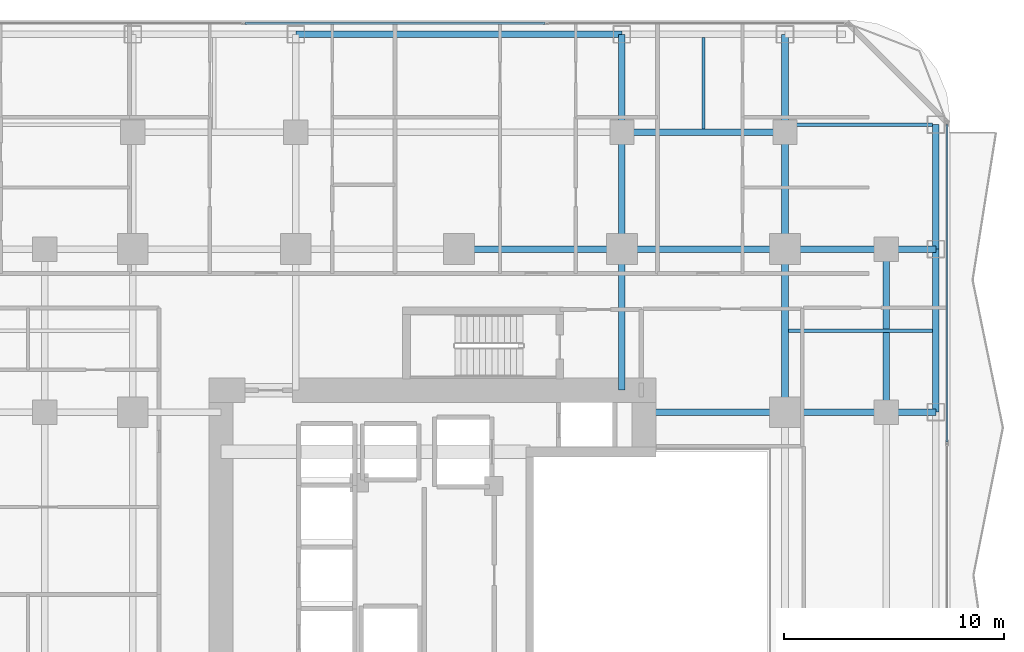
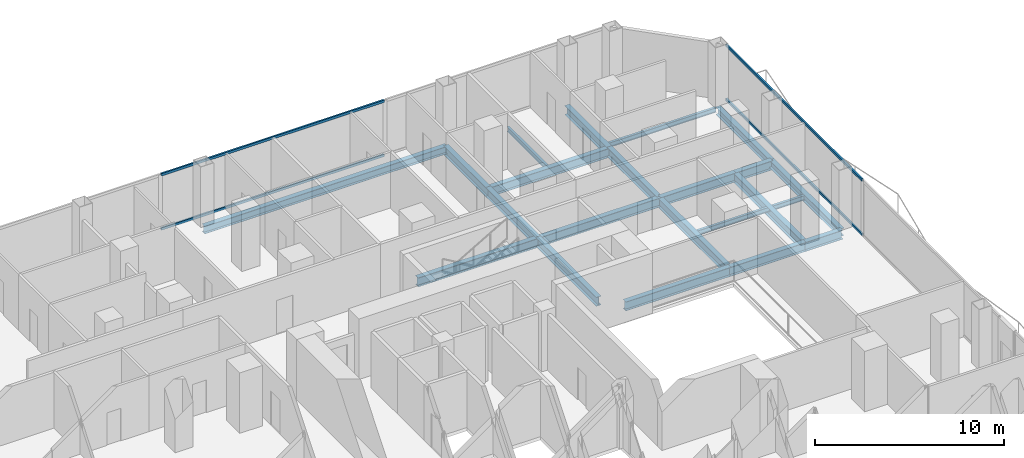
# One storey, part 16 of 29: 21 beams, 4 members, 2 elements without a shape of their own.
"""IFC4 building model written with IfcOpenShell, lengths in metres."""

import ifcopenshell
import ifcopenshell.guid

model = None  # the IFC model being written
_history = None  # IfcOwnerHistory: only IFC2X3 demands one
_inside = {}  # id of a spatial element -> (the spatial element, [elements in it])
_under = {}  # id of a project, library or spatial element -> (it, [spatial elements below it])
_declared = {}  # id of a project -> (the project, [libraries it declares])
_typed = {}  # id of a type object -> (the type object, [elements of that type])
_made_of = {}  # id of a material, layer set ... -> (it, [elements and type objects made of it])


def new_model(schema):
    """Start an empty IFC model of exactly this schema.

    Asked for "IFC4X3", IfcOpenShell would pick the latest addendum, in which some entities
    have other attributes; the version numbers below select the first issue.
    IFC2X3 requires an IfcOwnerHistory on every rooted entity: one is made here for all.
    """
    global model, _history
    if schema == "IFC4X3":
        model = ifcopenshell.file(schema_version=(4, 3, 0, 0))
    else:
        model = ifcopenshell.file(schema=schema)
    _inside.clear()
    _under.clear()
    _declared.clear()
    _typed.clear()
    _made_of.clear()
    _history = None
    if model.schema == "IFC2X3":
        org = make("IfcOrganization", Name="unknown")
        user = make(
            "IfcPersonAndOrganization",
            ThePerson=make("IfcPerson", FamilyName="unknown"),
            TheOrganization=org,
        )
        app = make(
            "IfcApplication",
            ApplicationDeveloper=org,
            Version="unknown",
            ApplicationFullName="unknown",
            ApplicationIdentifier="unknown",
        )
        _history = make(
            "IfcOwnerHistory",
            OwningUser=user,
            OwningApplication=app,
            ChangeAction="ADDED",
            CreationDate=0,
        )
    return model


def make(cls, **values):
    """One entity of the class cls with the attributes given. An attribute that is None is left unset."""
    return model.create_entity(
        cls, **{name: value for name, value in values.items() if value is not None}
    )


def rooted(cls, **values):
    """An entity with a GlobalId (a new one), such as an element, a storey or a relation."""
    return make(cls, GlobalId=ifcopenshell.guid.new(), OwnerHistory=_history, **values)


def si_unit(unit_type, name, prefix=None):
    """IfcSIUnit, for example si_unit("LENGTHUNIT", "METRE", prefix="MILLI")."""
    return make("IfcSIUnit", UnitType=unit_type, Prefix=prefix, Name=name)


def assignment(units):
    """IfcUnitAssignment: the units of a project."""
    return None if units is None else make("IfcUnitAssignment", Units=units)


def point(xyz):
    """IfcCartesianPoint."""
    return None if xyz is None else make("IfcCartesianPoint", Coordinates=xyz)


def direction(xyz):
    """IfcDirection."""
    return None if xyz is None else make("IfcDirection", DirectionRatios=xyz)


def frame(location, z_axis=None, x_axis=None):
    """IfcAxis2Placement3D, a coordinate frame: its origin and axes. An axis left out is left unset."""
    return make(
        "IfcAxis2Placement3D",
        Location=point(location),
        Axis=direction(z_axis),
        RefDirection=direction(x_axis),
    )


def frame_2d(location, x_axis=None):
    """IfcAxis2Placement2D, a coordinate frame in the plane: its origin and x axis."""
    return make(
        "IfcAxis2Placement2D", Location=point(location), RefDirection=direction(x_axis)
    )


def origin():
    """The frame at (0, 0, 0) with its axes left unset."""
    return frame((0.0, 0.0, 0.0))


def origin_2d():
    """The frame at (0, 0) in the plane with its x axis left unset."""
    return frame_2d((0.0, 0.0))


def place(relative_to, where):
    """IfcLocalPlacement: puts the frame where relative to a parent placement (None: the world)."""
    return make(
        "IfcLocalPlacement", PlacementRelTo=relative_to, RelativePlacement=where
    )


def context(
    kind, dimensions, precision=None, world=None, true_north=None, identifier=None
):
    """IfcGeometricRepresentationContext, for example the 3D "Model" context."""
    return make(
        "IfcGeometricRepresentationContext",
        ContextIdentifier=identifier,
        ContextType=kind,
        CoordinateSpaceDimension=dimensions,
        Precision=precision,
        WorldCoordinateSystem=world,
        TrueNorth=true_north,
    )


def subcontext(parent, identifier, kind, view, scale=None):
    """IfcGeometricRepresentationSubContext, for example "Body" below "Model"."""
    return make(
        "IfcGeometricRepresentationSubContext",
        ContextIdentifier=identifier,
        ContextType=kind,
        ParentContext=parent,
        TargetScale=scale,
        TargetView=view,
    )


def project(units=None, contexts=None):
    """IfcProject with its units and contexts."""
    return rooted(
        "IfcProject",
        Name="project",
        RepresentationContexts=contexts,
        UnitsInContext=assignment(units),
    )


def spatial(cls, under=None, at=None, **own):
    """A site, building, storey or space (cls), placed at a placement, below another one or the project."""
    s = rooted(cls, ObjectPlacement=at, **own)
    if under is not None:
        _under.setdefault(under.id(), (under, []))[1].append(s)
    return s


def profile(cls, at=None, kind="AREA", **sizes):
    """A parametric profile (cls). Its sizes go by their IFC names, for example OverallWidth=200.0."""
    return make(cls, ProfileType=kind, Position=at, **sizes)


def hollow_rectangle(**sizes):
    """IfcRectangleHollowProfileDef."""
    return profile("IfcRectangleHollowProfileDef", **sizes)


def i_section(**sizes):
    """IfcIShapeProfileDef."""
    return profile("IfcIShapeProfileDef", **sizes)


def extrude(swept, where, along, depth):
    """IfcExtrudedAreaSolid: the profile swept, set in the frame where, extruded along a direction by depth."""
    return make(
        "IfcExtrudedAreaSolid",
        SweptArea=swept,
        Position=where,
        ExtrudedDirection=direction(along),
        Depth=depth,
    )


def shape(context_of_items, identifier, shape_type, items):
    """IfcShapeRepresentation: the items that make up one representation, for example the "Body"."""
    return make(
        "IfcShapeRepresentation",
        ContextOfItems=context_of_items,
        RepresentationIdentifier=identifier,
        RepresentationType=shape_type,
        Items=items,
    )


def material(Name=None, Category=None):
    """IfcMaterial."""
    return make("IfcMaterial", Name=Name, Category=Category)


def layer(
    of_material, thickness, ventilated=None, Name=None, Category=None, Priority=None
):
    """IfcMaterialLayer: one layer of a wall or slab, of a material (None: an air gap)."""
    return make(
        "IfcMaterialLayer",
        Material=of_material,
        LayerThickness=thickness,
        IsVentilated=ventilated,
        Name=Name,
        Category=Category,
        Priority=Priority,
    )


def layer_set(layers, Name=None):
    """IfcMaterialLayerSet."""
    return make("IfcMaterialLayerSet", MaterialLayers=layers, LayerSetName=Name)


def material_profile(
    of_material, cross_section, Name=None, Category=None, Priority=None
):
    """IfcMaterialProfile: a cross section and its material."""
    return make(
        "IfcMaterialProfile",
        Name=Name,
        Material=of_material,
        Profile=cross_section,
        Priority=Priority,
        Category=Category,
    )


def profile_set(profiles, Name=None, composite=None):
    """IfcMaterialProfileSet."""
    return make(
        "IfcMaterialProfileSet",
        Name=Name,
        MaterialProfiles=profiles,
        CompositeProfile=composite,
    )


def made_of(thing, what):
    """Note that an element or type object is made of a material, layer set ...; save() writes the relation."""
    if what is not None:
        _made_of.setdefault(what.id(), (what, []))[1].append(thing)
    return thing


def type_object(cls, material=None, **own):
    """A type object (cls), such as IfcWallType, which elements share."""
    return made_of(rooted(cls, **own), material)


def element(
    cls,
    number,
    at=None,
    inside=None,
    cuts=None,
    type_object=None,
    material=None,
    context=None,
    identifier="Body",
    shape_type=None,
    held_by="IfcProductDefinitionShape",
    body=None,
    shapes=None,
    **own,
):
    """One element of the class cls, such as IfcWall. Its Tag is "e" and its number.

    at: its placement. inside: the storey or other place that contains it. cuts: it is an
    opening in that element (IfcRelVoidsElement). A single representation is given by context,
    identifier, shape_type and body (its items); several are given by shapes. held_by: the class
    of the entity that holds the representations. save() writes the other relations.
    """
    e = rooted(cls, Tag="e%d" % number, ObjectPlacement=at, **own)
    if body is not None:
        shapes = [shape(context, identifier, shape_type, body)]
    if shapes is not None:
        e.Representation = make(held_by, Representations=shapes)
    if inside is not None:
        _inside.setdefault(inside.id(), (inside, []))[1].append(e)
    if cuts is not None:
        rooted(
            "IfcRelVoidsElement", RelatingBuildingElement=cuts, RelatedOpeningElement=e
        )
    if type_object is not None:
        _typed.setdefault(type_object.id(), (type_object, []))[1].append(e)
    return made_of(e, material)


def aggregate(whole, parts):
    """IfcRelAggregates: a whole, such as a stair, and the parts it consists of."""
    return rooted("IfcRelAggregates", RelatingObject=whole, RelatedObjects=parts)


def save(model, path):
    """Write the relations noted so far, then the file.

    IfcRelAggregates (storeys below a building ...), IfcRelContainedInSpatialStructure (elements
    in a storey), IfcRelDefinesByType, IfcRelAssociatesMaterial and IfcRelDeclares: one each for
    every whole, place, type object, material and project.
    """
    for whole, parts in _under.values():
        aggregate(whole, parts)
    for where, things in _inside.values():
        rooted(
            "IfcRelContainedInSpatialStructure",
            RelatedElements=things,
            RelatingStructure=where,
        )
    for kind, things in _typed.values():
        rooted("IfcRelDefinesByType", RelatedObjects=things, RelatingType=kind)
    for what, things in _made_of.values():
        rooted("IfcRelAssociatesMaterial", RelatedObjects=things, RelatingMaterial=what)
    for by, libraries in _declared.values():
        rooted("IfcRelDeclares", RelatingContext=by, RelatedDefinitions=libraries)
    model.write(path)


model = new_model("IFC4")

# Units and contexts
model_context = context("Model", 3, precision=1e-05, world=origin(), true_north=direction((0.0, 1.0)))
body_context = subcontext(model_context, "Body", "Model", "MODEL_VIEW")
ifc_project = project(units=[si_unit("LENGTHUNIT", "METRE"), si_unit("AREAUNIT", "SQUARE_METRE"), si_unit("VOLUMEUNIT", "CUBIC_METRE"), si_unit("PLANEANGLEUNIT", "RADIAN"), si_unit("MASSUNIT", "GRAM", prefix="KILO")], contexts=[model_context])

# Site, building, storey
site_placement = place(None, origin())
site = spatial("IfcSite", under=ifc_project, at=site_placement, CompositionType="ELEMENT")
building_placement = place(site_placement, origin())
building = spatial("IfcBuilding", under=site, at=building_placement, Name="Khorvyn Point Tower", CompositionType="ELEMENT")
storey_placement = place(building_placement, frame((0.0, 0.0, 73.5)))
storey = spatial("IfcBuildingStorey", under=building, at=storey_placement, Name="L19", CompositionType="ELEMENT", Elevation=73.5)

# Curtain wall, members
ifc_material_1 = material(Name="Anodised aluminium 6063-T6 and laminated Low-E glass", Category="aluminium")
ifc_layer = layer(ifc_material_1, 0.18994140625)
ifc_layer_set = layer_set([ifc_layer], Name="Stick-Built Finned Residential Curtain Wall CW-SYS-02")
curtain_wall_type = type_object("IfcCurtainWallType", Name="Stick-Built Finned Residential Curtain Wall CW-SYS-02", PredefinedType="NOTDEFINED", material=ifc_layer_set)
curtain_wall_1_placement = place(storey_placement, origin())
curtain_wall_1 = element("IfcCurtainWall", 1, at=curtain_wall_1_placement, inside=storey, type_object=curtain_wall_type, Name="Curtain Wall", PredefinedType="NOTDEFINED")
ifc_material_2 = material(Name="Anodised aluminium 6063-T6", Category="aluminium")
ifc_material_profile_1 = material_profile(ifc_material_2, hollow_rectangle(XDim=0.10009765625, YDim=0.159912109375, WallThickness=0.00439453125, at=origin_2d()))
ifc_profile_set_1 = profile_set([ifc_material_profile_1], Name="Anodised aluminium 6063-T6 ALU-TRN-100x160")
member_type = type_object("IfcMemberType", Name="Anodised Aluminium 6063-T6 Transom ALU-TRN-100x160", PredefinedType="USERDEFINED", material=ifc_profile_set_1)
member_1_placement = place(storey_placement, frame((-9.699951171875, 25.050048828125, 0.050048828125), z_axis=(1.0, 0.0, 0.0), x_axis=(0.0, 1.0, 0.0)))
member_1 = element("IfcMember", 2, at=member_1_placement, type_object=member_type, Name="Transom", ObjectType="TRANSOM", PredefinedType="USERDEFINED", context=body_context, shape_type="SweptSolid", body=[
    extrude(hollow_rectangle(XDim=0.10009765625, YDim=0.159912109375, WallThickness=0.00439453125, at=origin_2d()), origin(), (0.0, 0.0, 1.0), 13.599853515625),
])
member_2_placement = place(storey_placement, frame((-9.699951171875, 25.050048828125, 3.550048828125), z_axis=(1.0, 0.0, 0.0), x_axis=(0.0, 1.0, 0.0)))
member_2 = element("IfcMember", 3, at=member_2_placement, type_object=member_type, Name="Transom", ObjectType="TRANSOM", PredefinedType="USERDEFINED", context=body_context, shape_type="SweptSolid", body=[
    extrude(hollow_rectangle(XDim=0.10009765625, YDim=0.159912109375, WallThickness=0.00439453125, at=origin_2d()), origin(), (0.0, 0.0, 1.0), 13.599853515625),
])
aggregate(curtain_wall_1, [member_1, member_2])

curtain_wall_2_placement = place(storey_placement, origin())
curtain_wall_2 = element("IfcCurtainWall", 4, at=curtain_wall_2_placement, inside=storey, type_object=curtain_wall_type, Name="Curtain Wall", PredefinedType="NOTDEFINED")
member_3_placement = place(storey_placement, frame((22.14990234375, 20.449951171875, 0.050048828125), z_axis=(0.0, -1.0, 0.0), x_axis=(1.0, 0.0, 0.0)))
member_3 = element("IfcMember", 5, at=member_3_placement, type_object=member_type, Name="Transom", ObjectType="TRANSOM", PredefinedType="USERDEFINED", context=body_context, shape_type="SweptSolid", body=[
    extrude(hollow_rectangle(XDim=0.10009765625, YDim=0.159912109375, WallThickness=0.00439453125, at=origin_2d()), origin(), (0.0, 0.0, 1.0), 14.39892578125),
])
member_4_placement = place(storey_placement, frame((22.14990234375, 20.449951171875, 3.550048828125), z_axis=(0.0, -1.0, 0.0), x_axis=(1.0, 0.0, 0.0)))
member_4 = element("IfcMember", 6, at=member_4_placement, type_object=member_type, Name="Transom", ObjectType="TRANSOM", PredefinedType="USERDEFINED", context=body_context, shape_type="SweptSolid", body=[
    extrude(hollow_rectangle(XDim=0.10009765625, YDim=0.159912109375, WallThickness=0.00439453125, at=origin_2d()), origin(), (0.0, 0.0, 1.0), 14.39892578125),
])
aggregate(curtain_wall_2, [member_3, member_4])

# Beams
ifc_material_3 = material(Name="Steel S355", Category="steel")
ifc_material_profile_2 = material_profile(ifc_material_3, i_section(OverallWidth=0.300048828125, OverallDepth=0.587890625, WebThickness=0.011962890625, FlangeThickness=0.02001953125, at=origin_2d()))
ifc_profile_set_2 = profile_set([ifc_material_profile_2], Name="Steel S355 H588x300x12x20")
beam_type_1 = type_object("IfcBeamType", Name="Steel S355 Beam H588x300x12x20", PredefinedType="BEAM", material=ifc_profile_set_2)
beam_1_placement = place(storey_placement, frame((0.0, 14.800048828125, -0.513916015625), z_axis=(1.0, 0.0, 0.0), x_axis=(0.0, 1.0, 0.0)))
element("IfcBeam", 7, at=beam_1_placement, inside=storey, type_object=beam_type_1, Name="Beam", PredefinedType="BEAM", context=body_context, shape_type="SweptSolid", body=[
    extrude(i_section(OverallWidth=0.300048828125, OverallDepth=0.587890625, WebThickness=0.011962890625, FlangeThickness=0.02001953125, at=origin_2d()), origin(), (0.0, 0.0, 1.0), 7.39990234375),
])
beam_2_placement = place(storey_placement, frame((7.39990234375, 14.800048828125, -0.513916015625), z_axis=(1.0, 0.0, 0.0), x_axis=(0.0, 1.0, 0.0)))
element("IfcBeam", 8, at=beam_2_placement, inside=storey, type_object=beam_type_1, Name="Beam", PredefinedType="BEAM", context=body_context, shape_type="SweptSolid", body=[
    extrude(i_section(OverallWidth=0.300048828125, OverallDepth=0.587890625, WebThickness=0.011962890625, FlangeThickness=0.02001953125, at=origin_2d()), origin(), (0.0, 0.0, 1.0), 7.400146484375),
])
beam_3_placement = place(storey_placement, frame((14.800048828125, 14.800048828125, -0.513916015625), z_axis=(1.0, 0.0, 0.0), x_axis=(0.0, 1.0, 0.0)))
element("IfcBeam", 9, at=beam_3_placement, inside=storey, type_object=beam_type_1, Name="Beam", PredefinedType="BEAM", context=body_context, shape_type="SweptSolid", body=[
    extrude(i_section(OverallWidth=0.300048828125, OverallDepth=0.587890625, WebThickness=0.011962890625, FlangeThickness=0.02001953125, at=origin_2d()), origin(), (0.0, 0.0, 1.0), 4.599853515625),
])
beam_4_placement = place(storey_placement, frame((19.39990234375, 14.800048828125, -0.513916015625), z_axis=(1.0, 0.0, 0.0), x_axis=(0.0, 1.0, 0.0)))
element("IfcBeam", 10, at=beam_4_placement, inside=storey, type_object=beam_type_1, Name="Beam", PredefinedType="BEAM", context=body_context, shape_type="SweptSolid", body=[
    extrude(i_section(OverallWidth=0.300048828125, OverallDepth=0.587890625, WebThickness=0.011962890625, FlangeThickness=0.02001953125, at=origin_2d()), origin(), (0.0, 0.0, 1.0), 2.25),
])
beam_5_placement = place(storey_placement, frame((8.39990234375, 7.39990234375, -0.513916015625), z_axis=(1.0, 0.0, 0.0), x_axis=(0.0, 1.0, 0.0)))
element("IfcBeam", 11, at=beam_5_placement, inside=storey, type_object=beam_type_1, Name="Beam", PredefinedType="BEAM", context=body_context, shape_type="SweptSolid", body=[
    extrude(i_section(OverallWidth=0.300048828125, OverallDepth=0.587890625, WebThickness=0.011962890625, FlangeThickness=0.02001953125, at=origin_2d()), origin(), (0.0, 0.0, 1.0), 6.400146484375),
])
beam_6_placement = place(storey_placement, frame((14.800048828125, 7.39990234375, -0.513916015625), z_axis=(1.0, 0.0, 0.0), x_axis=(0.0, 1.0, 0.0)))
element("IfcBeam", 12, at=beam_6_placement, inside=storey, type_object=beam_type_1, Name="Beam", PredefinedType="BEAM", context=body_context, shape_type="SweptSolid", body=[
    extrude(i_section(OverallWidth=0.300048828125, OverallDepth=0.587890625, WebThickness=0.011962890625, FlangeThickness=0.02001953125, at=origin_2d()), origin(), (0.0, 0.0, 1.0), 4.599853515625),
])
beam_7_placement = place(storey_placement, frame((19.39990234375, 7.39990234375, -0.513916015625), z_axis=(1.0, 0.0, 0.0), x_axis=(0.0, 1.0, 0.0)))
element("IfcBeam", 13, at=beam_7_placement, inside=storey, type_object=beam_type_1, Name="Beam", PredefinedType="BEAM", context=body_context, shape_type="SweptSolid", body=[
    extrude(i_section(OverallWidth=0.300048828125, OverallDepth=0.587890625, WebThickness=0.011962890625, FlangeThickness=0.02001953125, at=origin_2d()), origin(), (0.0, 0.0, 1.0), 2.25),
])
for number, where, z_axis, x_axis, name in (
    (14, (7.39990234375, 20.10009765625, -0.513916015625), (1.0, 0.0, 0.0), (0.0, 1.0, 0.0), "Beam"),
    (15, (14.800048828125, 7.39990234375, -0.513916015625), (0.0, 1.0, 0.0), (-1.0, 0.0, 0.0), "Beam"),
):
    element("IfcBeam", number, at=place(storey_placement, frame(where, z_axis=z_axis, x_axis=x_axis)), inside=storey, type_object=beam_type_1, Name=name, PredefinedType="BEAM", context=body_context, shape_type="SweptSolid", body=[
        extrude(i_section(OverallWidth=0.300048828125, OverallDepth=0.587890625, WebThickness=0.011962890625, FlangeThickness=0.02001953125, at=origin_2d()), origin(), (0.0, 0.0, 1.0), 7.400146484375),
    ])
beam_8_placement = place(storey_placement, frame((14.800048828125, 14.800048828125, -0.513916015625), z_axis=(0.0, 1.0, 0.0), x_axis=(-1.0, 0.0, 0.0)))
element("IfcBeam", 16, at=beam_8_placement, inside=storey, type_object=beam_type_1, Name="Beam", PredefinedType="BEAM", context=body_context, shape_type="SweptSolid", body=[
    extrude(i_section(OverallWidth=0.300048828125, OverallDepth=0.587890625, WebThickness=0.011962890625, FlangeThickness=0.02001953125, at=origin_2d()), origin(), (0.0, 0.0, 1.0), 5.300048828125),
])
beam_9_placement = place(storey_placement, frame((14.800048828125, 20.10009765625, -0.513916015625), z_axis=(0.0, 1.0, 0.0), x_axis=(-1.0, 0.0, 0.0)))
element("IfcBeam", 17, at=beam_9_placement, inside=storey, type_object=beam_type_1, Name="Beam", PredefinedType="BEAM", context=body_context, shape_type="SweptSolid", body=[
    extrude(i_section(OverallWidth=0.300048828125, OverallDepth=0.587890625, WebThickness=0.011962890625, FlangeThickness=0.02001953125, at=origin_2d()), origin(), (0.0, 0.0, 1.0), 4.449951171875),
])
beam_10_placement = place(storey_placement, frame((7.39990234375, 8.39990234375, -0.513916015625), z_axis=(0.0, 1.0, 0.0), x_axis=(-1.0, 0.0, 0.0)))
element("IfcBeam", 18, at=beam_10_placement, inside=storey, type_object=beam_type_1, Name="Beam", PredefinedType="BEAM", context=body_context, shape_type="SweptSolid", body=[
    extrude(i_section(OverallWidth=0.300048828125, OverallDepth=0.587890625, WebThickness=0.011962890625, FlangeThickness=0.02001953125, at=origin_2d()), origin(), (0.0, 0.0, 1.0), 6.400146484375),
])
beam_11_placement = place(storey_placement, frame((7.39990234375, 14.800048828125, -0.513916015625), z_axis=(0.0, 1.0, 0.0), x_axis=(-1.0, 0.0, 0.0)))
element("IfcBeam", 19, at=beam_11_placement, inside=storey, type_object=beam_type_1, Name="Beam", PredefinedType="BEAM", context=body_context, shape_type="SweptSolid", body=[
    extrude(i_section(OverallWidth=0.300048828125, OverallDepth=0.587890625, WebThickness=0.011962890625, FlangeThickness=0.02001953125, at=origin_2d()), origin(), (0.0, 0.0, 1.0), 5.300048828125),
])
beam_12_placement = place(storey_placement, frame((7.39990234375, 20.10009765625, -0.513916015625), z_axis=(0.0, 1.0, 0.0), x_axis=(-1.0, 0.0, 0.0)))
element("IfcBeam", 20, at=beam_12_placement, inside=storey, type_object=beam_type_1, Name="Beam", PredefinedType="BEAM", context=body_context, shape_type="SweptSolid", body=[
    extrude(i_section(OverallWidth=0.300048828125, OverallDepth=0.587890625, WebThickness=0.011962890625, FlangeThickness=0.02001953125, at=origin_2d()), origin(), (0.0, 0.0, 1.0), 4.449951171875),
])
beam_13_placement = place(storey_placement, frame((19.39990234375, 7.39990234375, -0.513916015625), z_axis=(0.0, 1.0, 0.0), x_axis=(-1.0, 0.0, 0.0)))
element("IfcBeam", 21, at=beam_13_placement, inside=storey, type_object=beam_type_1, Name="Beam", PredefinedType="BEAM", context=body_context, shape_type="SweptSolid", body=[
    extrude(i_section(OverallWidth=0.300048828125, OverallDepth=0.587890625, WebThickness=0.011962890625, FlangeThickness=0.02001953125, at=origin_2d()), origin(), (0.0, 0.0, 1.0), 7.400146484375),
])
ifc_material_profile_3 = material_profile(ifc_material_3, i_section(OverallWidth=0.14990234375, OverallDepth=0.300048828125, WebThickness=0.006591796875, FlangeThickness=0.009033203125, at=origin_2d()))
ifc_profile_set_3 = profile_set([ifc_material_profile_3], Name="Steel S355 H300x150x6.5x9")
beam_type_2 = type_object("IfcBeamType", Name="Steel S355 Joist H300x150x6.5x9", PredefinedType="JOIST", material=ifc_profile_set_3)
beam_14_placement = place(storey_placement, frame((14.949951171875, 11.10009765625, -0.3701171875), z_axis=(1.0, 0.0, 0.0), x_axis=(0.0, 1.0, 0.0)))
element("IfcBeam", 22, at=beam_14_placement, inside=storey, type_object=beam_type_2, Name="Beam", PredefinedType="JOIST", context=body_context, shape_type="SweptSolid", body=[
    extrude(i_section(OverallWidth=0.14990234375, OverallDepth=0.300048828125, WebThickness=0.006591796875, FlangeThickness=0.009033203125, at=origin_2d()), origin(), (0.0, 0.0, 1.0), 6.550048828125),
])
beam_15_placement = place(storey_placement, frame((11.10009765625, 20.25, -0.3701171875), z_axis=(0.0, 1.0, 0.0), x_axis=(-1.0, 0.0, 0.0)))
element("IfcBeam", 23, at=beam_15_placement, inside=storey, type_object=beam_type_2, Name="Beam", PredefinedType="JOIST", context=body_context, shape_type="SweptSolid", body=[
    extrude(i_section(OverallWidth=0.14990234375, OverallDepth=0.300048828125, WebThickness=0.006591796875, FlangeThickness=0.009033203125, at=origin_2d()), origin(), (0.0, 0.0, 1.0), 4.14990234375),
])
beam_16_placement = place(storey_placement, frame((14.949951171875, 20.449951171875, -0.3701171875), z_axis=(1.0, 0.0, 0.0), x_axis=(0.0, 1.0, 0.0)))
element("IfcBeam", 24, at=beam_16_placement, inside=storey, type_object=beam_type_2, Name="Beam", PredefinedType="JOIST", context=body_context, shape_type="SweptSolid", body=[
    extrude(i_section(OverallWidth=0.14990234375, OverallDepth=0.300048828125, WebThickness=0.006591796875, FlangeThickness=0.009033203125, at=origin_2d()), origin(), (0.0, 0.0, 1.0), 6.550048828125),
])
ifc_material_profile_4 = material_profile(ifc_material_3, i_section(OverallWidth=0.300048828125, OverallDepth=0.488037109375, WebThickness=0.010986328125, FlangeThickness=0.01806640625, at=origin_2d()))
ifc_profile_set_4 = profile_set([ifc_material_profile_4], Name="Steel S355 H488x300x11x18")
beam_type_3 = type_object("IfcBeamType", Name="Steel S355 Spandrel H488x300x11x18", PredefinedType="SPANDREL", material=ifc_profile_set_4)
beam_17_placement = place(storey_placement, frame((-7.39990234375, 24.550048828125, -0.464111328125), z_axis=(1.0, 0.0, 0.0), x_axis=(0.0, 1.0, 0.0)))
element("IfcBeam", 25, at=beam_17_placement, inside=storey, type_object=beam_type_3, Name="Beam", PredefinedType="SPANDREL", context=body_context, shape_type="SweptSolid", body=[
    extrude(i_section(OverallWidth=0.300048828125, OverallDepth=0.488037109375, WebThickness=0.010986328125, FlangeThickness=0.01806640625, at=origin_2d()), origin(), (0.0, 0.0, 1.0), 14.7998046875),
])
beam_18_placement = place(storey_placement, frame((21.64990234375, 7.39990234375, -0.464111328125), z_axis=(0.0, 1.0, 0.0), x_axis=(-1.0, 0.0, 0.0)))
element("IfcBeam", 26, at=beam_18_placement, inside=storey, type_object=beam_type_3, Name="Beam", PredefinedType="SPANDREL", context=body_context, shape_type="SweptSolid", body=[
    extrude(i_section(OverallWidth=0.300048828125, OverallDepth=0.488037109375, WebThickness=0.010986328125, FlangeThickness=0.01806640625, at=origin_2d()), origin(), (0.0, 0.0, 1.0), 7.400146484375),
])
beam_19_placement = place(storey_placement, frame((21.64990234375, 14.800048828125, -0.464111328125), z_axis=(0.0, 1.0, 0.0), x_axis=(-1.0, 0.0, 0.0)))
element("IfcBeam", 27, at=beam_19_placement, inside=storey, type_object=beam_type_3, Name="Beam", PredefinedType="SPANDREL", context=body_context, shape_type="SweptSolid", body=[
    extrude(i_section(OverallWidth=0.300048828125, OverallDepth=0.488037109375, WebThickness=0.010986328125, FlangeThickness=0.01806640625, at=origin_2d()), origin(), (0.0, 0.0, 1.0), 5.64990234375),
])

save(model, "model.ifc")
